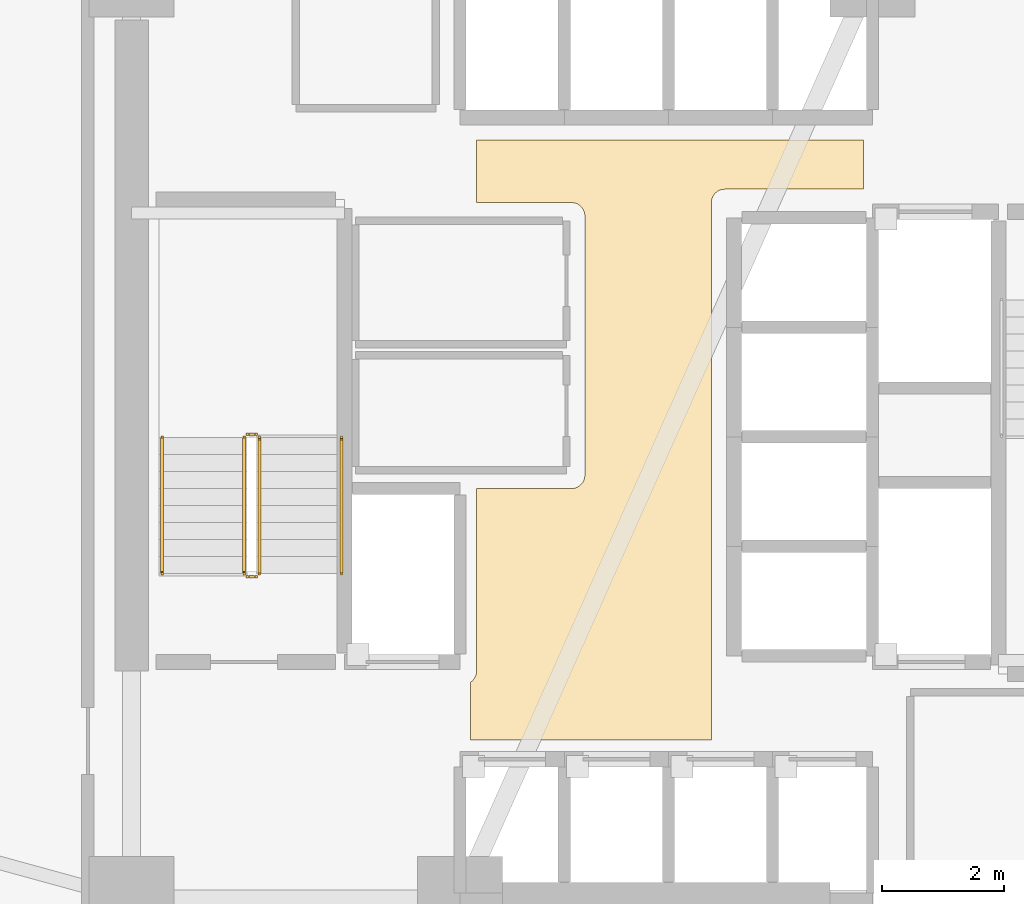
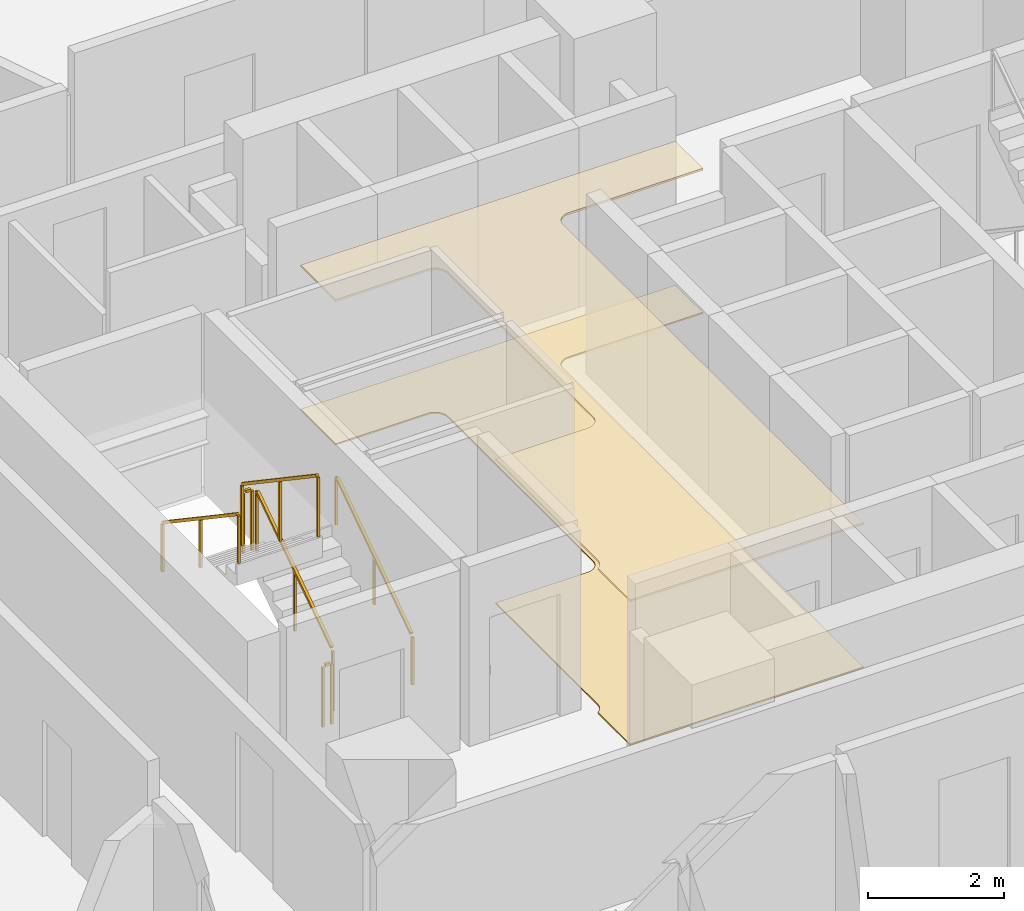
# One storey, part 15 of 17: 6 railings, 2 coverings.
"""IFC4 building model written with IfcOpenShell, lengths in metres."""

from ifc_helpers import new_model, si_unit, direction, frame, origin, origin_2d, place, context, subcontext, project, spatial, polyline, rectangle, outline, extrude, material, layer, layer_set, type_object, element, save


model = new_model("IFC4")

# Units and contexts
model_context = context("Model", 3, precision=1e-05, world=origin(), true_north=direction((0.0, 1.0)))
body_context = subcontext(model_context, "Body", "Model", "MODEL_VIEW")
ifc_project = project(units=[si_unit("LENGTHUNIT", "METRE"), si_unit("AREAUNIT", "SQUARE_METRE"), si_unit("VOLUMEUNIT", "CUBIC_METRE"), si_unit("PLANEANGLEUNIT", "RADIAN"), si_unit("MASSUNIT", "GRAM", prefix="KILO")], contexts=[model_context])

# Site, building, storey
site_placement = place(None, origin())
site = spatial("IfcSite", under=ifc_project, at=site_placement, CompositionType="ELEMENT")
building_placement = place(site_placement, origin())
building = spatial("IfcBuilding", under=site, at=building_placement, Name="Tharavind Bronze Gate", CompositionType="ELEMENT")
storey_placement = place(building_placement, frame((0.0, 0.0, 35.25)))
storey = spatial("IfcBuildingStorey", under=building, at=storey_placement, Name="L07", CompositionType="ELEMENT", Elevation=35.25)

# Coverings
ifc_material_1 = material(Name="Perforated Bronze Acoustic Panel", Category="bronze")
ifc_layer_1 = layer(ifc_material_1, 0.044921875)
ifc_layer_set_1 = layer_set([ifc_layer_1], Name="Perforated Bronze Acoustic Panel")
covering_type_1 = type_object("IfcCoveringType", Name="ACOUSTIC BRONZE BAFFLE CEILING", PredefinedType="CEILING", material=ifc_layer_set_1)
covering_1_placement = place(storey_placement, frame((0.0, 0.0, 2.574951171875)))
element("IfcCovering", 1, at=covering_1_placement, inside=storey, type_object=covering_type_1, Name="L07-C-LL suspended ceiling", PredefinedType="CEILING", context=body_context, shape_type="SweptSolid", body=[
    extrude(outline(polyline([(-3.330078125, -4.97998046875), (0.6298828125, -4.97998046875), (0.6298828125, 3.85009765625), (0.631103515625, 3.87158203125), (0.63427734375, 3.892822265625), (0.639404296875, 3.913818359375), (0.646728515625, 3.93408203125), (0.656005859375, 3.95361328125), (0.6669921875, 3.97216796875), (0.679931640625, 3.989501953125), (0.6943359375, 4.005615234375), (0.71044921875, 4.02001953125), (0.727783203125, 4.032958984375), (0.746337890625, 4.0439453125), (0.765869140625, 4.05322265625), (0.7861328125, 4.060546875), (0.80712890625, 4.06591796875), (0.828369140625, 4.06884765625), (0.85009765625, 4.070068359375), (3.1298828125, 4.070068359375), (3.1298828125, 4.8798828125), (-3.22998046875, 4.8798828125), (-3.22998046875, 3.85009765625), (-1.669921875, 3.85009765625), (-1.6484375, 3.848876953125), (-1.627197265625, 3.845703125), (-1.606201171875, 3.840576171875), (-1.585693359375, 3.833251953125), (-1.56640625, 3.823974609375), (-1.5478515625, 3.81298828125), (-1.530517578125, 3.800048828125), (-1.514404296875, 3.78564453125), (-1.5, 3.76953125), (-1.487060546875, 3.752197265625), (-1.47607421875, 3.733642578125), (-1.466796875, 3.714111328125), (-1.45947265625, 3.69384765625), (-1.4541015625, 3.6728515625), (-1.451171875, 3.651611328125), (-1.449951171875, 3.6298828125), (-1.449951171875, 1.43994140625), (-1.450439453125, 1.429931640625), (-1.449951171875, 1.419921875), (-1.449951171875, -0.6298828125), (-1.451171875, -0.651611328125), (-1.4541015625, -0.6728515625), (-1.45947265625, -0.69384765625), (-1.466796875, -0.714111328125), (-1.47607421875, -0.733642578125), (-1.487060546875, -0.752197265625), (-1.5, -0.76953125), (-1.514404296875, -0.78564453125), (-1.530517578125, -0.800048828125), (-1.5478515625, -0.81298828125), (-1.56640625, -0.823974609375), (-1.585693359375, -0.833251953125), (-1.606201171875, -0.840576171875), (-1.627197265625, -0.845703125), (-1.6484375, -0.848876953125), (-1.669921875, -0.85009765625), (-3.22998046875, -0.85009765625), (-3.22998046875, -3.85009765625), (-3.231201171875, -3.87158203125), (-3.234130859375, -3.892822265625), (-3.239501953125, -3.913818359375), (-3.24658203125, -3.93408203125), (-3.256103515625, -3.95361328125), (-3.26708984375, -3.97216796875), (-3.27978515625, -3.989501953125), (-3.29443359375, -4.005615234375), (-3.310302734375, -4.02001953125), (-3.327880859375, -4.032958984375), (-3.330078125, -4.0341796875), (-3.330078125, -4.97998046875)])), origin(), (0.0, 0.0, 1.0), 0.03515625),
])
ifc_material_2 = material(Name="Honed Travertine Limestone", Category="masonry")
ifc_layer_2 = layer(ifc_material_2, 0.030029296875)
ifc_layer_set_2 = layer_set([ifc_layer_2], Name="Honed Travertine Limestone")
covering_type_2 = type_object("IfcCoveringType", Name="HONED LIMESTONE FLOORING", PredefinedType="FLOORING", material=ifc_layer_set_2)
covering_2_placement = place(storey_placement, origin())
element("IfcCovering", 2, at=covering_2_placement, inside=storey, type_object=covering_type_2, Name="L07-C-LL floor finish", PredefinedType="FLOORING", context=body_context, shape_type="SweptSolid", body=[
    extrude(outline(polyline([(-3.330078125, -4.97998046875), (0.6298828125, -4.97998046875), (0.6298828125, 3.85009765625), (0.631103515625, 3.87158203125), (0.63427734375, 3.892822265625), (0.639404296875, 3.913818359375), (0.646728515625, 3.93408203125), (0.656005859375, 3.95361328125), (0.6669921875, 3.97216796875), (0.679931640625, 3.989501953125), (0.6943359375, 4.005615234375), (0.71044921875, 4.02001953125), (0.727783203125, 4.032958984375), (0.746337890625, 4.0439453125), (0.765869140625, 4.05322265625), (0.7861328125, 4.060546875), (0.80712890625, 4.06591796875), (0.828369140625, 4.06884765625), (0.85009765625, 4.070068359375), (3.1298828125, 4.070068359375), (3.1298828125, 4.8798828125), (-3.22998046875, 4.8798828125), (-3.22998046875, 3.85009765625), (-1.669921875, 3.85009765625), (-1.6484375, 3.848876953125), (-1.627197265625, 3.845703125), (-1.606201171875, 3.840576171875), (-1.585693359375, 3.833251953125), (-1.56640625, 3.823974609375), (-1.5478515625, 3.81298828125), (-1.530517578125, 3.800048828125), (-1.514404296875, 3.78564453125), (-1.5, 3.76953125), (-1.487060546875, 3.752197265625), (-1.47607421875, 3.733642578125), (-1.466796875, 3.714111328125), (-1.45947265625, 3.69384765625), (-1.4541015625, 3.6728515625), (-1.451171875, 3.651611328125), (-1.449951171875, 3.6298828125), (-1.449951171875, 1.43994140625), (-1.450439453125, 1.429931640625), (-1.449951171875, 1.419921875), (-1.449951171875, -0.6298828125), (-1.451171875, -0.651611328125), (-1.4541015625, -0.6728515625), (-1.45947265625, -0.69384765625), (-1.466796875, -0.714111328125), (-1.47607421875, -0.733642578125), (-1.487060546875, -0.752197265625), (-1.5, -0.76953125), (-1.514404296875, -0.78564453125), (-1.530517578125, -0.800048828125), (-1.5478515625, -0.81298828125), (-1.56640625, -0.823974609375), (-1.585693359375, -0.833251953125), (-1.606201171875, -0.840576171875), (-1.627197265625, -0.845703125), (-1.6484375, -0.848876953125), (-1.669921875, -0.85009765625), (-3.22998046875, -0.85009765625), (-3.22998046875, -3.85009765625), (-3.231201171875, -3.87158203125), (-3.234130859375, -3.892822265625), (-3.239501953125, -3.913818359375), (-3.24658203125, -3.93408203125), (-3.256103515625, -3.95361328125), (-3.26708984375, -3.97216796875), (-3.27978515625, -3.989501953125), (-3.29443359375, -4.005615234375), (-3.310302734375, -4.02001953125), (-3.327880859375, -4.032958984375), (-3.330078125, -4.0341796875), (-3.330078125, -4.97998046875)])), origin(), (0.0, 0.0, 1.0), 0.02490234375),
])

# Railings
ifc_material_3 = material(Name="Brushed Bronze Alloy", Category="metal")
railing_type_1 = type_object("IfcRailingType", Name="STAIR BRONZE HANDRAIL 900", PredefinedType="HANDRAIL", material=ifc_material_3)
railing_1_placement = place(storey_placement, frame((-5.449951171875, -2.25, 0.18896484375)))
element("IfcRailing", 3, at=railing_1_placement, inside=storey, type_object=railing_type_1, Name="L07 ST1 stair handrail 1", PredefinedType="HANDRAIL", context=body_context, shape_type="SweptSolid", body=[
    extrude(rectangle(XDim=0.048095703125, YDim=0.048095703125, at=origin_2d()), frame((0.0, 0.026611328125, 0.893798828125), z_axis=(0.0, 0.829021472004, 0.559216772778), x_axis=(-1.0, 0.0, 0.0)), (0.0, 0.0, 1.0), 2.637939453125),
    extrude(rectangle(XDim=0.0400390625, YDim=0.0400390625, at=origin_2d()), origin(), (0.0, 0.0, 1.0), 0.847900390625),
    extrude(rectangle(XDim=0.0400390625, YDim=0.0400390625, at=origin_2d()), frame((0.0, 1.1201171875, 0.75537109375)), (0.0, 0.0, 1.0), 0.847900390625),
    extrude(rectangle(XDim=0.0400390625, YDim=0.0400390625, at=origin_2d()), frame((0.0, 2.239990234375, 1.510986328125)), (0.0, 0.0, 1.0), 0.847900390625),
])
railing_2_placement = place(storey_placement, frame((-8.39990234375, -0.010009765625, 1.888916015625)))
element("IfcRailing", 4, at=railing_2_placement, inside=storey, type_object=railing_type_1, Name="L07 ST1 stair handrail 2", PredefinedType="HANDRAIL", context=body_context, shape_type="SweptSolid", body=[
    extrude(rectangle(XDim=0.048095703125, YDim=0.048095703125, at=origin_2d()), frame((0.0, -0.026611328125, 0.893798828125), z_axis=(0.0, -0.829021472004, 0.559216772778), x_axis=(1.0, 0.0, 0.0)), (0.0, 0.0, 1.0), 2.637939453125),
    extrude(rectangle(XDim=0.0400390625, YDim=0.0400390625, at=origin_2d()), origin(), (0.0, 0.0, 1.0), 0.847900390625),
    extrude(rectangle(XDim=0.0400390625, YDim=0.0400390625, at=origin_2d()), frame((0.0, -1.1201171875, 0.75537109375)), (0.0, 0.0, 1.0), 0.847900390625),
    extrude(rectangle(XDim=0.0400390625, YDim=0.0400390625, at=origin_2d()), frame((0.0, -2.239990234375, 1.510986328125)), (0.0, 0.0, 1.0), 0.847900390625),
])
railing_type_2 = type_object("IfcRailingType", Name="STAIR WELL GUARD RAILING 1120", PredefinedType="GUARDRAIL", material=ifc_material_3)
railing_3_placement = place(storey_placement, frame((-6.800048828125, -2.25, 0.18896484375)))
element("IfcRailing", 5, at=railing_3_placement, inside=storey, type_object=railing_type_2, Name="L07 ST1 stair guard 1", PredefinedType="GUARDRAIL", context=body_context, shape_type="SweptSolid", body=[
    extrude(rectangle(XDim=0.048095703125, YDim=0.048095703125, at=origin_2d()), frame((0.0, 0.026611328125, 1.114013671875), z_axis=(0.0, 0.829021472004, 0.559216772778), x_axis=(-1.0, 0.0, 0.0)), (0.0, 0.0, 1.0), 2.637939453125),
    extrude(rectangle(XDim=0.0400390625, YDim=0.0400390625, at=origin_2d()), origin(), (0.0, 0.0, 1.0), 1.068115234375),
    extrude(rectangle(XDim=0.0400390625, YDim=0.0400390625, at=origin_2d()), frame((0.0, 1.1201171875, 0.75537109375)), (0.0, 0.0, 1.0), 1.068115234375),
    extrude(rectangle(XDim=0.0400390625, YDim=0.0400390625, at=origin_2d()), frame((0.0, 2.239990234375, 1.510986328125)), (0.0, 0.0, 1.0), 1.068115234375),
])
railing_4_placement = place(storey_placement, frame((-6.85009765625, 0.0400390625, 1.699951171875)))
element("IfcRailing", 6, at=railing_4_placement, inside=storey, type_object=railing_type_2, Name="L07 ST1 stair guard 2", PredefinedType="GUARDRAIL", context=body_context, shape_type="SweptSolid", body=[
    extrude(rectangle(XDim=0.048095703125, YDim=0.048095703125, at=origin_2d()), frame((-0.031982421875, 0.0, 1.09619140625), z_axis=(-1.0, 0.0, 0.0), x_axis=(0.0, -1.0, 0.0)), (0.0, 0.0, 1.0), 0.0859375),
    extrude(rectangle(XDim=0.0400390625, YDim=0.0400390625, at=origin_2d()), origin(), (0.0, 0.0, 1.0), 1.068115234375),
    extrude(rectangle(XDim=0.0400390625, YDim=0.0400390625, at=origin_2d()), frame((-0.14990234375, 0.0, 0.0)), (0.0, 0.0, 1.0), 1.068115234375),
])
railing_5_placement = place(storey_placement, frame((-7.050048828125, -0.010009765625, 1.888916015625)))
element("IfcRailing", 7, at=railing_5_placement, inside=storey, type_object=railing_type_2, Name="L07 ST1 stair guard 3", PredefinedType="GUARDRAIL", context=body_context, shape_type="SweptSolid", body=[
    extrude(rectangle(XDim=0.048095703125, YDim=0.048095703125, at=origin_2d()), frame((0.0, -0.026611328125, 1.114013671875), z_axis=(0.0, -0.829021472004, 0.559216772778), x_axis=(1.0, 0.0, 0.0)), (0.0, 0.0, 1.0), 2.637939453125),
    extrude(rectangle(XDim=0.0400390625, YDim=0.0400390625, at=origin_2d()), origin(), (0.0, 0.0, 1.0), 1.068115234375),
    extrude(rectangle(XDim=0.0400390625, YDim=0.0400390625, at=origin_2d()), frame((0.0, -1.1201171875, 0.75537109375)), (0.0, 0.0, 1.0), 1.068115234375),
    extrude(rectangle(XDim=0.0400390625, YDim=0.0400390625, at=origin_2d()), frame((0.0, -2.239990234375, 1.510986328125)), (0.0, 0.0, 1.0), 1.068115234375),
])
railing_6_placement = place(storey_placement, frame((-6.85009765625, -2.300048828125, 0.0)))
element("IfcRailing", 8, at=railing_6_placement, inside=storey, type_object=railing_type_2, Name="L07 ST1 stair guard 4", PredefinedType="GUARDRAIL", context=body_context, shape_type="SweptSolid", body=[
    extrude(rectangle(XDim=0.048095703125, YDim=0.048095703125, at=origin_2d()), frame((-0.031982421875, 0.0, 1.09619140625), z_axis=(-1.0, 0.0, 0.0), x_axis=(0.0, -1.0, 0.0)), (0.0, 0.0, 1.0), 0.0859375),
    extrude(rectangle(XDim=0.0400390625, YDim=0.0400390625, at=origin_2d()), origin(), (0.0, 0.0, 1.0), 1.068115234375),
    extrude(rectangle(XDim=0.0400390625, YDim=0.0400390625, at=origin_2d()), frame((-0.14990234375, 0.0, 0.0)), (0.0, 0.0, 1.0), 1.068115234375),
])

save(model, "model.ifc")
